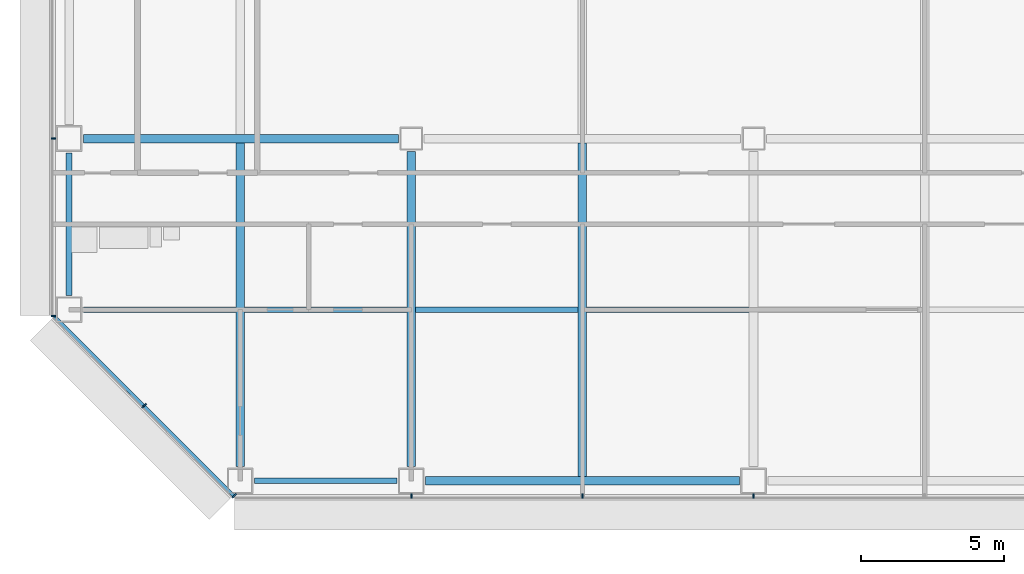
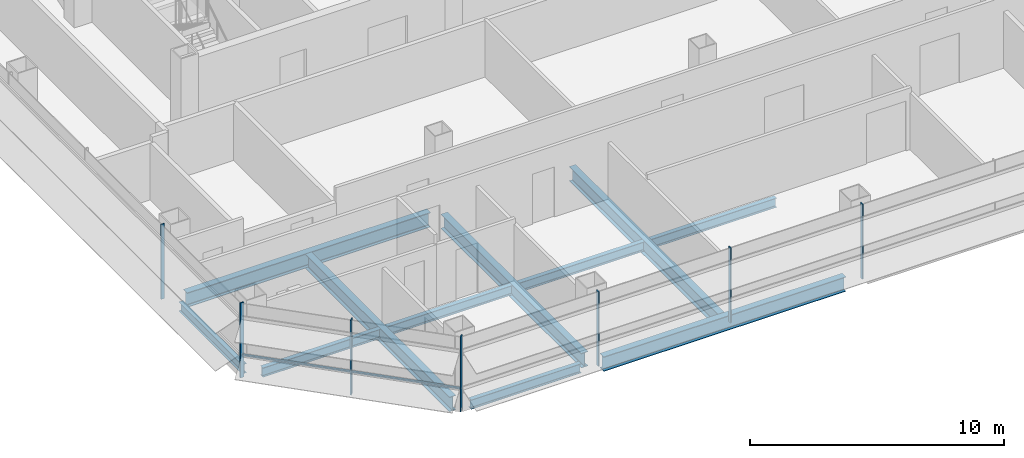
# One storey, part 2 of 27: 11 beams, 8 members, 3 elements without a shape of their own.
"""IFC4 building model written with IfcOpenShell, lengths in metres."""

import ifcopenshell
import ifcopenshell.guid

model = None  # the IFC model being written
_history = None  # IfcOwnerHistory: only IFC2X3 demands one
_inside = {}  # id of a spatial element -> (the spatial element, [elements in it])
_under = {}  # id of a project, library or spatial element -> (it, [spatial elements below it])
_declared = {}  # id of a project -> (the project, [libraries it declares])
_typed = {}  # id of a type object -> (the type object, [elements of that type])
_made_of = {}  # id of a material, layer set ... -> (it, [elements and type objects made of it])


def new_model(schema):
    """Start an empty IFC model of exactly this schema.

    Asked for "IFC4X3", IfcOpenShell would pick the latest addendum, in which some entities
    have other attributes; the version numbers below select the first issue.
    IFC2X3 requires an IfcOwnerHistory on every rooted entity: one is made here for all.
    """
    global model, _history
    if schema == "IFC4X3":
        model = ifcopenshell.file(schema_version=(4, 3, 0, 0))
    else:
        model = ifcopenshell.file(schema=schema)
    _inside.clear()
    _under.clear()
    _declared.clear()
    _typed.clear()
    _made_of.clear()
    _history = None
    if model.schema == "IFC2X3":
        org = make("IfcOrganization", Name="unknown")
        user = make(
            "IfcPersonAndOrganization",
            ThePerson=make("IfcPerson", FamilyName="unknown"),
            TheOrganization=org,
        )
        app = make(
            "IfcApplication",
            ApplicationDeveloper=org,
            Version="unknown",
            ApplicationFullName="unknown",
            ApplicationIdentifier="unknown",
        )
        _history = make(
            "IfcOwnerHistory",
            OwningUser=user,
            OwningApplication=app,
            ChangeAction="ADDED",
            CreationDate=0,
        )
    return model


def make(cls, **values):
    """One entity of the class cls with the attributes given. An attribute that is None is left unset."""
    return model.create_entity(
        cls, **{name: value for name, value in values.items() if value is not None}
    )


def rooted(cls, **values):
    """An entity with a GlobalId (a new one), such as an element, a storey or a relation."""
    return make(cls, GlobalId=ifcopenshell.guid.new(), OwnerHistory=_history, **values)


def si_unit(unit_type, name, prefix=None):
    """IfcSIUnit, for example si_unit("LENGTHUNIT", "METRE", prefix="MILLI")."""
    return make("IfcSIUnit", UnitType=unit_type, Prefix=prefix, Name=name)


def assignment(units):
    """IfcUnitAssignment: the units of a project."""
    return None if units is None else make("IfcUnitAssignment", Units=units)


def point(xyz):
    """IfcCartesianPoint."""
    return None if xyz is None else make("IfcCartesianPoint", Coordinates=xyz)


def direction(xyz):
    """IfcDirection."""
    return None if xyz is None else make("IfcDirection", DirectionRatios=xyz)


def frame(location, z_axis=None, x_axis=None):
    """IfcAxis2Placement3D, a coordinate frame: its origin and axes. An axis left out is left unset."""
    return make(
        "IfcAxis2Placement3D",
        Location=point(location),
        Axis=direction(z_axis),
        RefDirection=direction(x_axis),
    )


def frame_2d(location, x_axis=None):
    """IfcAxis2Placement2D, a coordinate frame in the plane: its origin and x axis."""
    return make(
        "IfcAxis2Placement2D", Location=point(location), RefDirection=direction(x_axis)
    )


def origin():
    """The frame at (0, 0, 0) with its axes left unset."""
    return frame((0.0, 0.0, 0.0))


def origin_2d():
    """The frame at (0, 0) in the plane with its x axis left unset."""
    return frame_2d((0.0, 0.0))


def place(relative_to, where):
    """IfcLocalPlacement: puts the frame where relative to a parent placement (None: the world)."""
    return make(
        "IfcLocalPlacement", PlacementRelTo=relative_to, RelativePlacement=where
    )


def context(
    kind, dimensions, precision=None, world=None, true_north=None, identifier=None
):
    """IfcGeometricRepresentationContext, for example the 3D "Model" context."""
    return make(
        "IfcGeometricRepresentationContext",
        ContextIdentifier=identifier,
        ContextType=kind,
        CoordinateSpaceDimension=dimensions,
        Precision=precision,
        WorldCoordinateSystem=world,
        TrueNorth=true_north,
    )


def subcontext(parent, identifier, kind, view, scale=None):
    """IfcGeometricRepresentationSubContext, for example "Body" below "Model"."""
    return make(
        "IfcGeometricRepresentationSubContext",
        ContextIdentifier=identifier,
        ContextType=kind,
        ParentContext=parent,
        TargetScale=scale,
        TargetView=view,
    )


def project(units=None, contexts=None):
    """IfcProject with its units and contexts."""
    return rooted(
        "IfcProject",
        Name="project",
        RepresentationContexts=contexts,
        UnitsInContext=assignment(units),
    )


def spatial(cls, under=None, at=None, **own):
    """A site, building, storey or space (cls), placed at a placement, below another one or the project."""
    s = rooted(cls, ObjectPlacement=at, **own)
    if under is not None:
        _under.setdefault(under.id(), (under, []))[1].append(s)
    return s


def profile(cls, at=None, kind="AREA", **sizes):
    """A parametric profile (cls). Its sizes go by their IFC names, for example OverallWidth=200.0."""
    return make(cls, ProfileType=kind, Position=at, **sizes)


def rectangle(**sizes):
    """IfcRectangleProfileDef."""
    return profile("IfcRectangleProfileDef", **sizes)


def i_section(**sizes):
    """IfcIShapeProfileDef."""
    return profile("IfcIShapeProfileDef", **sizes)


def extrude(swept, where, along, depth):
    """IfcExtrudedAreaSolid: the profile swept, set in the frame where, extruded along a direction by depth."""
    return make(
        "IfcExtrudedAreaSolid",
        SweptArea=swept,
        Position=where,
        ExtrudedDirection=direction(along),
        Depth=depth,
    )


def shape(context_of_items, identifier, shape_type, items):
    """IfcShapeRepresentation: the items that make up one representation, for example the "Body"."""
    return make(
        "IfcShapeRepresentation",
        ContextOfItems=context_of_items,
        RepresentationIdentifier=identifier,
        RepresentationType=shape_type,
        Items=items,
    )


def material(Name=None, Category=None):
    """IfcMaterial."""
    return make("IfcMaterial", Name=Name, Category=Category)


def material_profile(
    of_material, cross_section, Name=None, Category=None, Priority=None
):
    """IfcMaterialProfile: a cross section and its material."""
    return make(
        "IfcMaterialProfile",
        Name=Name,
        Material=of_material,
        Profile=cross_section,
        Priority=Priority,
        Category=Category,
    )


def profile_set(profiles, Name=None, composite=None):
    """IfcMaterialProfileSet."""
    return make(
        "IfcMaterialProfileSet",
        Name=Name,
        MaterialProfiles=profiles,
        CompositeProfile=composite,
    )


def made_of(thing, what):
    """Note that an element or type object is made of a material, layer set ...; save() writes the relation."""
    if what is not None:
        _made_of.setdefault(what.id(), (what, []))[1].append(thing)
    return thing


def type_object(cls, material=None, **own):
    """A type object (cls), such as IfcWallType, which elements share."""
    return made_of(rooted(cls, **own), material)


def element(
    cls,
    number,
    at=None,
    inside=None,
    cuts=None,
    type_object=None,
    material=None,
    context=None,
    identifier="Body",
    shape_type=None,
    held_by="IfcProductDefinitionShape",
    body=None,
    shapes=None,
    **own,
):
    """One element of the class cls, such as IfcWall. Its Tag is "e" and its number.

    at: its placement. inside: the storey or other place that contains it. cuts: it is an
    opening in that element (IfcRelVoidsElement). A single representation is given by context,
    identifier, shape_type and body (its items); several are given by shapes. held_by: the class
    of the entity that holds the representations. save() writes the other relations.
    """
    e = rooted(cls, Tag="e%d" % number, ObjectPlacement=at, **own)
    if body is not None:
        shapes = [shape(context, identifier, shape_type, body)]
    if shapes is not None:
        e.Representation = make(held_by, Representations=shapes)
    if inside is not None:
        _inside.setdefault(inside.id(), (inside, []))[1].append(e)
    if cuts is not None:
        rooted(
            "IfcRelVoidsElement", RelatingBuildingElement=cuts, RelatedOpeningElement=e
        )
    if type_object is not None:
        _typed.setdefault(type_object.id(), (type_object, []))[1].append(e)
    return made_of(e, material)


def aggregate(whole, parts):
    """IfcRelAggregates: a whole, such as a stair, and the parts it consists of."""
    return rooted("IfcRelAggregates", RelatingObject=whole, RelatedObjects=parts)


def save(model, path):
    """Write the relations noted so far, then the file.

    IfcRelAggregates (storeys below a building ...), IfcRelContainedInSpatialStructure (elements
    in a storey), IfcRelDefinesByType, IfcRelAssociatesMaterial and IfcRelDeclares: one each for
    every whole, place, type object, material and project.
    """
    for whole, parts in _under.values():
        aggregate(whole, parts)
    for where, things in _inside.values():
        rooted(
            "IfcRelContainedInSpatialStructure",
            RelatedElements=things,
            RelatingStructure=where,
        )
    for kind, things in _typed.values():
        rooted("IfcRelDefinesByType", RelatedObjects=things, RelatingType=kind)
    for what, things in _made_of.values():
        rooted("IfcRelAssociatesMaterial", RelatedObjects=things, RelatingMaterial=what)
    for by, libraries in _declared.values():
        rooted("IfcRelDeclares", RelatingContext=by, RelatedDefinitions=libraries)
    model.write(path)


model = new_model("IFC4")

# Units and contexts
model_context = context("Model", 3, precision=1e-05, world=origin(), true_north=direction((0.0, 1.0)))
body_context = subcontext(model_context, "Body", "Model", "MODEL_VIEW")
ifc_project = project(units=[si_unit("LENGTHUNIT", "METRE"), si_unit("AREAUNIT", "SQUARE_METRE"), si_unit("VOLUMEUNIT", "CUBIC_METRE"), si_unit("PLANEANGLEUNIT", "RADIAN"), si_unit("MASSUNIT", "GRAM", prefix="KILO")], contexts=[model_context])

# Site, building, storey
site_placement = place(None, origin())
site = spatial("IfcSite", under=ifc_project, at=site_placement, CompositionType="ELEMENT")
building_placement = place(site_placement, origin())
building = spatial("IfcBuilding", under=site, at=building_placement, Name="Sorahane Residences", CompositionType="ELEMENT")
storey_placement = place(building_placement, frame((0.0, 0.0, 49.800048828125)))
storey = spatial("IfcBuildingStorey", under=building, at=storey_placement, Name="L08", CompositionType="ELEMENT", Elevation=49.800048828125)

# Curtain wall, members
ifc_material_1 = material(Name="Dark low-e glass and black anodised aluminium", Category="aluminium")
curtain_wall_type_1 = type_object("IfcCurtainWallType", Name="Curtain wall CW-1 Typical unitised wall", PredefinedType="NOTDEFINED", material=ifc_material_1)
curtain_wall_1_placement = place(storey_placement, origin())
curtain_wall_1 = element("IfcCurtainWall", 1, at=curtain_wall_1_placement, inside=storey, type_object=curtain_wall_type_1, Name="CW-1 curtain wall L08 S1", PredefinedType="NOTDEFINED")
ifc_material_2 = material(Name="Black anodised aluminium", Category="aluminium")
ifc_material_profile_1 = material_profile(ifc_material_2, rectangle(XDim=0.159912109375, YDim=0.050048828125, at=origin_2d()), Name="Curtain wall mullion CW-1 black anodised aluminium 50x160")
ifc_profile_set_1 = profile_set([ifc_material_profile_1], Name="Black anodised aluminium")
member_type_1 = type_object("IfcMemberType", Name="Curtain wall mullion CW-1 black anodised aluminium 50x160", PredefinedType="MULLION", material=ifc_profile_set_1)
member_1_placement = place(storey_placement, frame((12.0, -0.5400390625, -0.179931640625), z_axis=(0.0, 0.0, 1.0), x_axis=(0.0, -1.0, 0.0)))
member_1 = element("IfcMember", 2, at=member_1_placement, type_object=member_type_1, Name="CW-1 mullion L08 S1.2", PredefinedType="MULLION", context=body_context, shape_type="SweptSolid", body=[
    extrude(rectangle(XDim=0.159912109375, YDim=0.050048828125, at=origin_2d()), origin(), (0.0, 0.0, 1.0), 3.599853515625),
])
member_2_placement = place(storey_placement, frame((18.0, -0.5400390625, -0.179931640625), z_axis=(0.0, 0.0, 1.0), x_axis=(0.0, -1.0, 0.0)))
member_2 = element("IfcMember", 3, at=member_2_placement, type_object=member_type_1, Name="CW-1 mullion L08 S1.3", PredefinedType="MULLION", context=body_context, shape_type="SweptSolid", body=[
    extrude(rectangle(XDim=0.159912109375, YDim=0.050048828125, at=origin_2d()), origin(), (0.0, 0.0, 1.0), 3.599853515625),
])
member_3_placement = place(storey_placement, frame((24.0, -0.5400390625, -0.179931640625), z_axis=(0.0, 0.0, 1.0), x_axis=(0.0, -1.0, 0.0)))
member_3 = element("IfcMember", 4, at=member_3_placement, type_object=member_type_1, Name="CW-1 mullion L08 S1.4", PredefinedType="MULLION", context=body_context, shape_type="SweptSolid", body=[
    extrude(rectangle(XDim=0.159912109375, YDim=0.050048828125, at=origin_2d()), origin(), (0.0, 0.0, 1.0), 3.599853515625),
])
aggregate(curtain_wall_1, [member_1, member_2, member_3])

curtain_wall_2_placement = place(storey_placement, origin())
curtain_wall_2 = element("IfcCurtainWall", 5, at=curtain_wall_2_placement, inside=storey, type_object=curtain_wall_type_1, Name="CW-1 curtain wall L08 W1", PredefinedType="NOTDEFINED")
member_4_placement = place(storey_placement, frame((-0.5400390625, 12.0, -0.179931640625), z_axis=(0.0, 0.0, 1.0), x_axis=(-1.0, 0.0, 0.0)))
member_4 = element("IfcMember", 6, at=member_4_placement, type_object=member_type_1, Name="CW-1 mullion L08 W1.6", PredefinedType="MULLION", context=body_context, shape_type="SweptSolid", body=[
    extrude(rectangle(XDim=0.159912109375, YDim=0.050048828125, at=origin_2d()), origin(), (0.0, 0.0, 1.0), 3.599853515625),
])
member_5_placement = place(storey_placement, frame((-0.5400390625, 5.7763671875, -0.179931640625), z_axis=(0.0, 0.0, 1.0), x_axis=(-1.0, 0.0, 0.0)))
member_5 = element("IfcMember", 7, at=member_5_placement, type_object=member_type_1, Name="CW-1 mullion L08 W1.7", PredefinedType="MULLION", context=body_context, shape_type="SweptSolid", body=[
    extrude(rectangle(XDim=0.159912109375, YDim=0.050048828125, at=origin_2d()), origin(), (0.0, 0.0, 1.0), 3.599853515625),
])
aggregate(curtain_wall_2, [member_4, member_5])

ifc_material_3 = material(Name="Dark low-e glass and black anodised aluminium", Category="aluminium")
curtain_wall_type_2 = type_object("IfcCurtainWallType", Name="Curtain wall CW-2 Chamfer unitised wall", PredefinedType="NOTDEFINED", material=ifc_material_3)
curtain_wall_3_placement = place(storey_placement, origin())
curtain_wall_3 = element("IfcCurtainWall", 8, at=curtain_wall_3_placement, inside=storey, type_object=curtain_wall_type_2, Name="CW-2 curtain wall L08 SW1", PredefinedType="NOTDEFINED")
ifc_material_4 = material(Name="Black anodised aluminium", Category="aluminium")
ifc_material_profile_2 = material_profile(ifc_material_4, rectangle(XDim=0.199951171875, YDim=0.050048828125, at=origin_2d()), Name="Curtain wall mullion CW-2 black anodised aluminium 50x200")
ifc_profile_set_2 = profile_set([ifc_material_profile_2], Name="Black anodised aluminium")
member_type_2 = type_object("IfcMemberType", Name="Curtain wall mullion CW-2 black anodised aluminium 50x200", PredefinedType="MULLION", material=ifc_profile_set_2)
member_6_placement = place(storey_placement, frame((2.63232421875, 2.63232421875, -0.179931640625), z_axis=(0.0, 0.0, 1.0), x_axis=(-0.707106781187, -0.707106781187, 0.0)))
member_6 = element("IfcMember", 9, at=member_6_placement, type_object=member_type_2, Name="CW-2 mullion L08 SW1.2", PredefinedType="MULLION", context=body_context, shape_type="SweptSolid", body=[
    extrude(rectangle(XDim=0.199951171875, YDim=0.050048828125, at=origin_2d()), origin(), (0.0, 0.0, 1.0), 3.599853515625),
])
member_7_placement = place(storey_placement, frame((5.790283203125, -0.525634765625, -0.179931640625), z_axis=(0.0, 0.0, 1.0), x_axis=(-0.707106781187, -0.707106781187, 0.0)))
member_7 = element("IfcMember", 10, at=member_7_placement, type_object=member_type_2, Name="CW-2 mullion L08 SW1.3", PredefinedType="MULLION", context=body_context, shape_type="SweptSolid", body=[
    extrude(rectangle(XDim=0.199951171875, YDim=0.050048828125, at=origin_2d()), origin(), (0.0, 0.0, 1.0), 3.599853515625),
])
ifc_material_5 = material(Name="Black anodised aluminium", Category="aluminium")
ifc_material_profile_3 = material_profile(ifc_material_5, rectangle(XDim=0.10009765625, YDim=0.06005859375, at=origin_2d()), Name="Curtain wall transom CW-2 black anodised aluminium 60x100")
ifc_profile_set_3 = profile_set([ifc_material_profile_3], Name="Black anodised aluminium")
member_type_3 = type_object("IfcMemberType", Name="Curtain wall transom CW-2 black anodised aluminium 60x100", PredefinedType="USERDEFINED", material=ifc_profile_set_3)
member_8_placement = place(storey_placement, frame((-0.51513671875, 5.765625, 0.89990234375), z_axis=(0.707106781187, -0.707106781187, 0.0), x_axis=(0.707106781187, 0.707106781187, 0.0)))
member_8 = element("IfcMember", 11, at=member_8_placement, type_object=member_type_3, Name="CW-2 transom L08 SW1", ObjectType="TRANSOM", PredefinedType="USERDEFINED", context=body_context, shape_type="SweptSolid", body=[
    extrude(rectangle(XDim=0.10009765625, YDim=0.06005859375, at=origin_2d()), origin(), (0.0, 0.0, 1.0), 8.88232421875),
])
aggregate(curtain_wall_3, [member_6, member_7, member_8])

# Beams
ifc_material_6 = material(Name="Steel Q355B", Category="steel")
ifc_material_profile_4 = material_profile(ifc_material_6, i_section(OverallWidth=0.199951171875, OverallDepth=0.449951171875, WebThickness=0.009033203125, FlangeThickness=0.013916015625, FilletRadius=0.02001953125, at=origin_2d()), Name="HN 450x200x9x14")
ifc_profile_set_4 = profile_set([ifc_material_profile_4], Name="Steel Q355B")
beam_type_1 = type_object("IfcBeamType", Name="Steel floor beam HN 450x200x9x14 Q355B", PredefinedType="BEAM", material=ifc_profile_set_4)
for number, where, z_axis, x_axis, name in (
    (12, (6.5, 0.0, -0.405029296875), (1.0, 0.0, 0.0), (0.0, 1.0, 0.0), "Beam L08 000"),
    (13, (0.0, 6.5, -0.405029296875), (0.0, 1.0, 0.0), (-1.0, 0.0, 0.0), "Beam L08 017"),
):
    element("IfcBeam", number, at=place(storey_placement, frame(where, z_axis=z_axis, x_axis=x_axis)), inside=storey, type_object=beam_type_1, Name=name, PredefinedType="BEAM", context=body_context, shape_type="SweptSolid", body=[
        extrude(i_section(OverallWidth=0.199951171875, OverallDepth=0.449951171875, WebThickness=0.009033203125, FlangeThickness=0.013916015625, FilletRadius=0.02001953125, at=origin_2d()), origin(), (0.0, 0.0, 1.0), 5.0),
    ])
beam_1_placement = place(storey_placement, frame((0.5, 6.0, -0.405029296875), z_axis=(1.0, 0.0, 0.0), x_axis=(0.0, 1.0, 0.0)))
element("IfcBeam", 14, at=beam_1_placement, inside=storey, type_object=beam_type_1, Name="Beam L08 061", PredefinedType="BEAM", context=body_context, shape_type="SweptSolid", body=[
    extrude(i_section(OverallWidth=0.199951171875, OverallDepth=0.449951171875, WebThickness=0.009033203125, FlangeThickness=0.013916015625, FilletRadius=0.02001953125, at=origin_2d()), origin(), (0.0, 0.0, 1.0), 5.35009765625),
])
for number, where, z_axis, x_axis, name in (
    (15, (6.14990234375, 6.0, -0.405029296875), (1.0, 0.0, 0.0), (0.0, 1.0, 0.0), "Beam L08 062"),
    (16, (12.14990234375, 6.0, -0.405029296875), (1.0, 0.0, 0.0), (0.0, 1.0, 0.0), "Beam L08 063"),
    (17, (18.14990234375, 6.0, -0.405029296875), (1.0, 0.0, 0.0), (0.0, 1.0, 0.0), "Beam L08 064"),
):
    element("IfcBeam", number, at=place(storey_placement, frame(where, z_axis=z_axis, x_axis=x_axis)), inside=storey, type_object=beam_type_1, Name=name, PredefinedType="BEAM", context=body_context, shape_type="SweptSolid", body=[
        extrude(i_section(OverallWidth=0.199951171875, OverallDepth=0.449951171875, WebThickness=0.009033203125, FlangeThickness=0.013916015625, FilletRadius=0.02001953125, at=origin_2d()), origin(), (0.0, 0.0, 1.0), 5.7001953125),
    ])
ifc_material_7 = material(Name="Steel Q355B", Category="steel")
ifc_material_profile_5 = material_profile(ifc_material_7, i_section(OverallWidth=0.300048828125, OverallDepth=0.699951171875, WebThickness=0.012939453125, FlangeThickness=0.02392578125, FilletRadius=0.028076171875, at=origin_2d()), Name="HN 700x300x13x24")
ifc_profile_set_5 = profile_set([ifc_material_profile_5], Name="Steel Q355B")
beam_type_2 = type_object("IfcBeamType", Name="Steel floor beam HN 700x300x13x24 Q355B", PredefinedType="BEAM", material=ifc_profile_set_5)
beam_2_placement = place(storey_placement, frame((12.5, 0.0, -0.530029296875), z_axis=(1.0, 0.0, 0.0), x_axis=(0.0, 1.0, 0.0)))
element("IfcBeam", 18, at=beam_2_placement, inside=storey, type_object=beam_type_2, Name="Beam L08 001", PredefinedType="BEAM", context=body_context, shape_type="SweptSolid", body=[
    extrude(i_section(OverallWidth=0.300048828125, OverallDepth=0.699951171875, WebThickness=0.012939453125, FlangeThickness=0.02392578125, FilletRadius=0.028076171875, at=origin_2d()), origin(), (0.0, 0.0, 1.0), 11.0),
])
beam_3_placement = place(storey_placement, frame((0.5, 12.0, -0.530029296875), z_axis=(1.0, 0.0, 0.0), x_axis=(0.0, 1.0, 0.0)))
element("IfcBeam", 19, at=beam_3_placement, inside=storey, type_object=beam_type_2, Name="Beam L08 005", PredefinedType="BEAM", context=body_context, shape_type="SweptSolid", body=[
    extrude(i_section(OverallWidth=0.300048828125, OverallDepth=0.699951171875, WebThickness=0.012939453125, FlangeThickness=0.02392578125, FilletRadius=0.028076171875, at=origin_2d()), origin(), (0.0, 0.0, 1.0), 11.050048828125),
])
beam_4_placement = place(storey_placement, frame((6.0, 0.5, -0.530029296875), z_axis=(0.0, 1.0, 0.0), x_axis=(-1.0, 0.0, 0.0)))
element("IfcBeam", 20, at=beam_4_placement, inside=storey, type_object=beam_type_2, Name="Beam L08 021", PredefinedType="BEAM", context=body_context, shape_type="SweptSolid", body=[
    extrude(i_section(OverallWidth=0.300048828125, OverallDepth=0.699951171875, WebThickness=0.012939453125, FlangeThickness=0.02392578125, FilletRadius=0.028076171875, at=origin_2d()), origin(), (0.0, 0.0, 1.0), 11.35009765625),
])
beam_5_placement = place(storey_placement, frame((12.0, 0.5, -0.530029296875), z_axis=(0.0, 1.0, 0.0), x_axis=(-1.0, 0.0, 0.0)))
element("IfcBeam", 21, at=beam_5_placement, inside=storey, type_object=beam_type_2, Name="Beam L08 027", PredefinedType="BEAM", context=body_context, shape_type="SweptSolid", body=[
    extrude(i_section(OverallWidth=0.300048828125, OverallDepth=0.699951171875, WebThickness=0.012939453125, FlangeThickness=0.02392578125, FilletRadius=0.028076171875, at=origin_2d()), origin(), (0.0, 0.0, 1.0), 11.050048828125),
])
beam_6_placement = place(storey_placement, frame((18.0, 0.14990234375, -0.530029296875), z_axis=(0.0, 1.0, 0.0), x_axis=(-1.0, 0.0, 0.0)))
element("IfcBeam", 22, at=beam_6_placement, inside=storey, type_object=beam_type_2, Name="Beam L08 029", PredefinedType="BEAM", context=body_context, shape_type="SweptSolid", body=[
    extrude(i_section(OverallWidth=0.300048828125, OverallDepth=0.699951171875, WebThickness=0.012939453125, FlangeThickness=0.02392578125, FilletRadius=0.028076171875, at=origin_2d()), origin(), (0.0, 0.0, 1.0), 11.7001953125),
])

save(model, "model.ifc")
